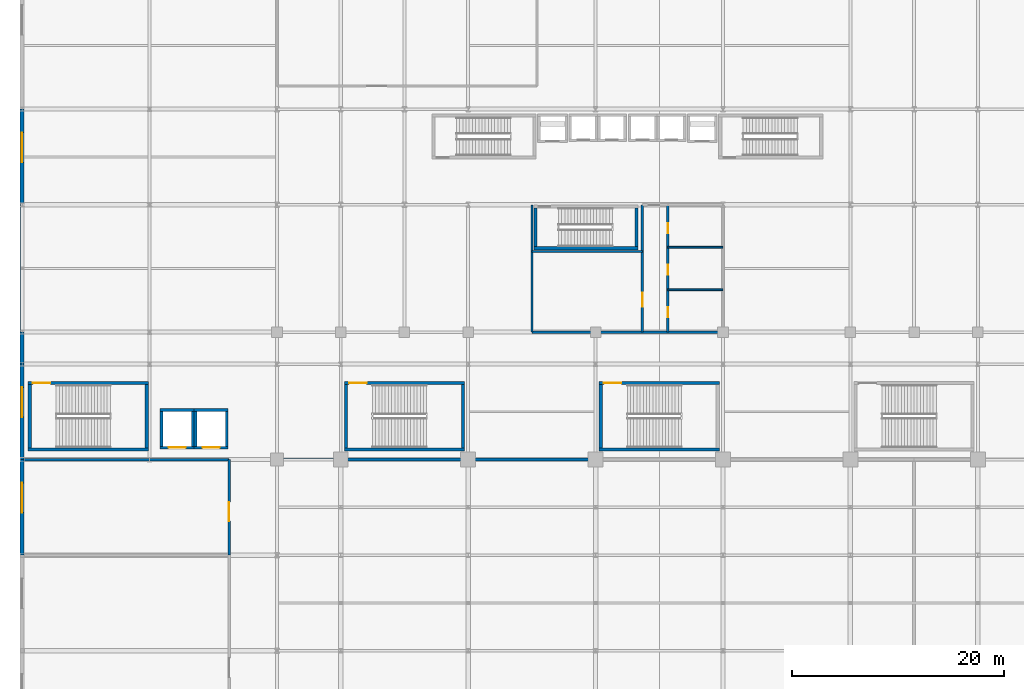
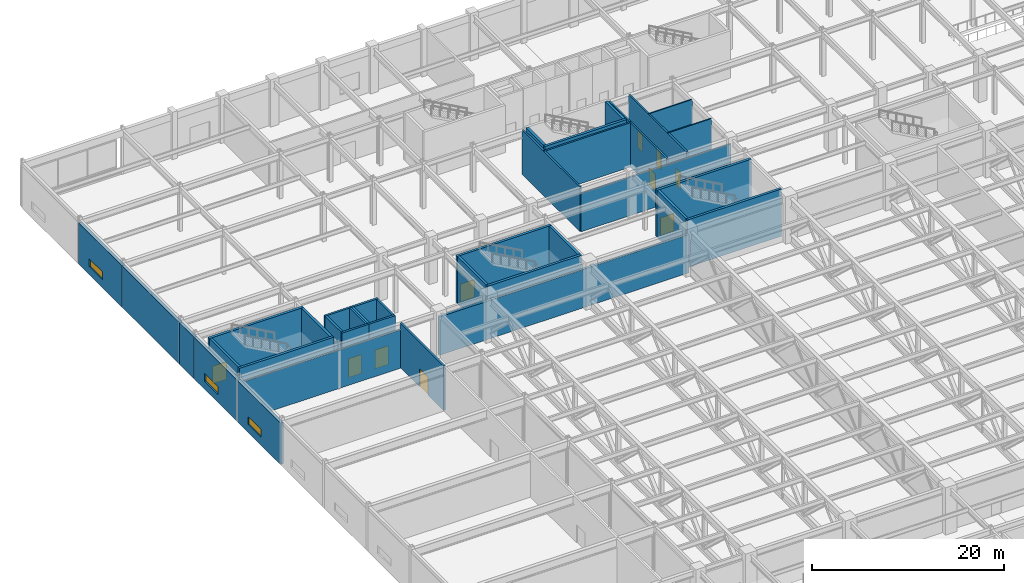
# One storey, part 92 of 108: 37 walls, 10 doors, 3 windows, 13 openings.
"""IFC4 building model written with IfcOpenShell, lengths in metres."""

from ifc_helpers import new_model, si_unit, direction, frame, frame_2d, origin, place, context, subcontext, project, spatial, rectangle, extrude, material, layer, layer_set, type_object, element, fill, save


model = new_model("IFC4")

# Units and contexts
model_context = context("Model", 3, precision=1e-05, world=origin(), true_north=direction((0.0, 1.0)))
body_context = subcontext(model_context, "Body", "Model", "MODEL_VIEW")
ifc_project = project(units=[si_unit("LENGTHUNIT", "METRE"), si_unit("AREAUNIT", "SQUARE_METRE"), si_unit("VOLUMEUNIT", "CUBIC_METRE"), si_unit("PLANEANGLEUNIT", "RADIAN"), si_unit("MASSUNIT", "GRAM", prefix="KILO")], contexts=[model_context])

# Site, building, storey
site_placement = place(None, origin())
site = spatial("IfcSite", under=ifc_project, at=site_placement, CompositionType="ELEMENT")
building_placement = place(site_placement, origin())
building = spatial("IfcBuilding", under=site, at=building_placement, Name="Kaldorvane Square Convention Centre", CompositionType="ELEMENT")
storey_placement = place(building_placement, frame((0.0, 0.0, 12.0)))
storey = spatial("IfcBuildingStorey", under=building, at=storey_placement, Name="L02", CompositionType="ELEMENT", Elevation=12.0)

# Wall, opening, door
ifc_material_1 = material(Name="Reinforced Concrete Masonry Acoustic Partition", Category="masonry")
ifc_layer_1 = layer(ifc_material_1, 0.2400054931640625)
ifc_layer_set_1 = layer_set([ifc_layer_1], Name="Reinforced Concrete Masonry Acoustic Partition")
wall_type_1 = type_object("IfcWallType", Name="WL-ACO-240", PredefinedType="PARTITIONING", material=ifc_layer_set_1)
wall_1_placement = place(storey_placement, frame((19.5, 63.0, 0.0), z_axis=(0.0, 0.0, 1.0), x_axis=(0.0, 1.0, 0.0)))
wall_1 = element("IfcWall", 1, at=wall_1_placement, inside=storey, type_object=wall_type_1, Name="Meeting Room 204 E Wall", PredefinedType="PARTITIONING", context=body_context, shape_type="SweptSolid", body=[
    extrude(rectangle(XDim=9.0, YDim=0.2400054931640625, at=frame_2d((4.5, 0.0))), origin(), (0.0, 0.0, 1.0), 5.649993896484375),
])
opening_1_placement = place(wall_1_placement, frame((3.1999969482421875, 0.0, 0.0)))
opening_1 = element("IfcOpeningElement", 2, at=opening_1_placement, cuts=wall_1, Name="Opening ID-06", PredefinedType="OPENING", context=body_context, shape_type="SweptSolid", body=[
    extrude(rectangle(XDim=1.8000030517578125, YDim=2.3000030517578125, at=frame_2d((0.899993896484375, 1.149993896484375))), frame((0.0, 0.135009765625, 0.0), z_axis=(0.0, -1.0, 0.0), x_axis=(1.0, 0.0, 0.0)), (0.0, 0.0, 1.0), 0.2700042724609375),
])
ifc_material_2 = material(Name="Architectural Solid-Core White Oak")
door_type_1 = type_object("IfcDoorType", Name="DR-MEET-1800X2300", OperationType="DOUBLE_DOOR_SINGLE_SWING", PredefinedType="DOOR", material=ifc_material_2)
door_1_placement = place(opening_1_placement, origin())
door_1 = element("IfcDoor", 3, at=door_1_placement, inside=storey, type_object=door_type_1, Name="Meeting Room 204 Door 1", OperationType="DOUBLE_DOOR_SINGLE_SWING", OverallHeight=2.3000030517578125, OverallWidth=1.8000030517578125, PredefinedType="DOOR", context=body_context, shape_type="SweptSolid", body=[
    extrude(rectangle(XDim=1.8000030517578125, YDim=2.3000030517578125, at=frame_2d((0.899993896484375, 1.149993896484375))), frame((0.0, 0.024993896484375, 0.0), z_axis=(0.0, -1.0, 0.0), x_axis=(1.0, 0.0, 0.0)), (0.0, 0.0, 1.0), 0.0500030517578125),
])
fill(opening_1, door_1)

# Walls
wall_2_placement = place(storey_placement, frame((19.5, 72.0, 0.0), z_axis=(0.0, 0.0, 1.0), x_axis=(-1.0, 0.0, 0.0)))
element("IfcWall", 4, at=wall_2_placement, inside=storey, type_object=wall_type_1, Name="Meeting Room 204 N Wall", PredefinedType="PARTITIONING", context=body_context, shape_type="SweptSolid", body=[
    extrude(rectangle(XDim=19.30999755859375, YDim=0.2400054931640625, at=frame_2d((9.654998779296875, 0.0))), origin(), (0.0, 0.0, 1.0), 4.8719940185546875),
])
ifc_layer_2 = layer(ifc_material_1, 0.279998779296875)
ifc_layer_set_2 = layer_set([ifc_layer_2], Name="Reinforced Concrete Masonry Acoustic Partition")
wall_type_2 = type_object("IfcWallType", Name="WL-ACO-280", PredefinedType="PARTITIONING", material=ifc_layer_set_2)
wall_3_placement = place(storey_placement, frame((54.0, 72.0, 0.0), z_axis=(0.0, 0.0, 1.0), x_axis=(-1.0, 0.0, 0.0)))
element("IfcWall", 5, at=wall_3_placement, inside=storey, type_object=wall_type_2, Name="West Transfer Truss Interstitial Mechanical Plenum N Wall", PredefinedType="PARTITIONING", context=body_context, shape_type="SweptSolid", body=[
    extrude(rectangle(XDim=30.0, YDim=0.279998779296875, at=frame_2d((15.0, 0.0))), origin(), (0.0, 0.0, 1.0), 4.8719940185546875),
])
ifc_material_3 = material(Name="Fire-Rated Gypsum Board on Acoustic Steel Studs", Category="steel")
ifc_layer_3 = layer(ifc_material_3, 0.1999969482421875)
ifc_layer_set_3 = layer_set([ifc_layer_3], Name="Fire-Rated Gypsum Board on Acoustic Steel Studs")
wall_type_3 = type_object("IfcWallType", Name="WL-CORR-200", PredefinedType="PARTITIONING", material=ifc_layer_set_3)
wall_4_placement = place(storey_placement, frame((48.0, 84.0, 0.0), z_axis=(0.0, 0.0, 1.0), x_axis=(1.0, 0.0, 0.0)))
element("IfcWall", 6, at=wall_4_placement, inside=storey, type_object=wall_type_3, Name="Service Block South Partition (L02)", PredefinedType="PARTITIONING", context=body_context, shape_type="SweptSolid", body=[
    extrude(rectangle(XDim=18.0, YDim=0.1999969482421875, at=frame_2d((9.0, 0.0))), origin(), (0.0, 0.0, 1.0), 4.8719940185546875),
])

# Wall, opening, door
wall_5_placement = place(storey_placement, frame((58.399993896484375, 84.0, 0.0), z_axis=(0.0, 0.0, 1.0), x_axis=(0.0, 1.0, 0.0)))
wall_5 = element("IfcWall", 7, at=wall_5_placement, inside=storey, type_object=wall_type_3, Name="Restroom Vestibule West Wall (L02)", PredefinedType="PARTITIONING", context=body_context, shape_type="SweptSolid", body=[
    extrude(rectangle(XDim=12.0, YDim=0.1999969482421875, at=frame_2d((6.0, 0.0))), origin(), (0.0, 0.0, 1.0), 5.649993896484375),
])
opening_2_placement = place(wall_5_placement, frame((2.399993896484375, 0.0, 0.0)))
opening_2 = element("IfcOpeningElement", 8, at=opening_2_placement, cuts=wall_5, Name="Opening ID-09", PredefinedType="OPENING", context=body_context, shape_type="SweptSolid", body=[
    extrude(rectangle(XDim=1.3000030517578125, YDim=2.1999969482421875, at=frame_2d((0.649993896484375, 1.100006103515625))), frame((0.0, 0.114990234375, 0.0), z_axis=(0.0, -1.0, 0.0), x_axis=(1.0, 0.0, 0.0)), (0.0, 0.0, 1.0), 0.2299957275390625),
])
ifc_material_4 = material(Name="Insulated Hollow Metal Steel", Category="steel")
door_type_2 = type_object("IfcDoorType", Name="DR-SVC-1300X2200", OperationType="DOUBLE_DOOR_SINGLE_SWING", PredefinedType="DOOR", material=ifc_material_4)
door_2_placement = place(opening_2_placement, origin())
door_2 = element("IfcDoor", 9, at=door_2_placement, inside=storey, type_object=door_type_2, Name="Janitor and Service Closet (L02) Door", OperationType="DOUBLE_DOOR_SINGLE_SWING", OverallHeight=2.1999969482421875, OverallWidth=1.3000030517578125, PredefinedType="DOOR", context=body_context, shape_type="SweptSolid", body=[
    extrude(rectangle(XDim=1.3000030517578125, YDim=2.1999969482421875, at=frame_2d((0.649993896484375, 1.100006103515625))), frame((0.0, 0.024993896484375, 0.0), z_axis=(0.0, -1.0, 0.0), x_axis=(1.0, 0.0, 0.0)), (0.0, 0.0, 1.0), 0.0500030517578125),
])
fill(opening_2, door_2)

# Wall, openings, doors
wall_6_placement = place(storey_placement, frame((60.80000305175781, 84.0, 0.0), z_axis=(0.0, 0.0, 1.0), x_axis=(0.0, 1.0, 0.0)))
wall_6 = element("IfcWall", 10, at=wall_6_placement, inside=storey, type_object=wall_type_3, Name="Restroom Vestibule East Wall (L02)", PredefinedType="PARTITIONING", context=body_context, shape_type="SweptSolid", body=[
    extrude(rectangle(XDim=12.0, YDim=0.1999969482421875, at=frame_2d((6.0, 0.0))), origin(), (0.0, 0.0, 1.0), 5.649993896484375),
])
opening_3_placement = place(wall_6_placement, frame((1.399993896484375, 0.0, 0.0)))
opening_3 = element("IfcOpeningElement", 11, at=opening_3_placement, cuts=wall_6, Name="Opening ID-13", PredefinedType="OPENING", context=body_context, shape_type="SweptSolid", body=[
    extrude(rectangle(XDim=0.9499969482421875, YDim=2.149993896484375, at=frame_2d((0.475006103515625, 1.0749969482421875))), frame((0.0, 0.114990234375, 0.0), z_axis=(0.0, -1.0, 0.0), x_axis=(1.0, 0.0, 0.0)), (0.0, 0.0, 1.0), 0.2299957275390625),
])
opening_4_placement = place(wall_6_placement, frame((5.399993896484375, 0.0, 0.0)))
opening_4 = element("IfcOpeningElement", 12, at=opening_4_placement, cuts=wall_6, Name="Opening ID-13", PredefinedType="OPENING", context=body_context, shape_type="SweptSolid", body=[
    extrude(rectangle(XDim=0.9499969482421875, YDim=2.149993896484375, at=frame_2d((0.475006103515625, 1.0749969482421875))), frame((0.0, 0.114990234375, 0.0), z_axis=(0.0, -1.0, 0.0), x_axis=(1.0, 0.0, 0.0)), (0.0, 0.0, 1.0), 0.2299957275390625),
])
opening_5_placement = place(wall_6_placement, frame((9.300003051757812, 0.0, 0.0)))
opening_5 = element("IfcOpeningElement", 13, at=opening_5_placement, cuts=wall_6, Name="Opening ID-13", PredefinedType="OPENING", context=body_context, shape_type="SweptSolid", body=[
    extrude(rectangle(XDim=0.9499969482421875, YDim=2.149993896484375, at=frame_2d((0.475006103515625, 1.0749969482421875))), frame((0.0, 0.114990234375, 0.0), z_axis=(0.0, -1.0, 0.0), x_axis=(1.0, 0.0, 0.0)), (0.0, 0.0, 1.0), 0.2299957275390625),
])
door_type_3 = type_object("IfcDoorType", Name="DR-WC-0950X2150", OperationType="SINGLE_SWING_LEFT", PredefinedType="DOOR", material=ifc_material_2)
door_3_placement = place(opening_3_placement, origin())
door_3 = element("IfcDoor", 14, at=door_3_placement, inside=storey, type_object=door_type_3, Name="Accessible Restroom Door (L02)", OperationType="SINGLE_SWING_LEFT", OverallHeight=2.149993896484375, OverallWidth=0.9499969482421875, PredefinedType="DOOR", context=body_context, shape_type="SweptSolid", body=[
    extrude(rectangle(XDim=0.9499969482421875, YDim=2.149993896484375, at=frame_2d((0.475006103515625, 1.0749969482421875))), frame((0.0, 0.024993896484375, 0.0), z_axis=(0.0, -1.0, 0.0), x_axis=(1.0, 0.0, 0.0)), (0.0, 0.0, 1.0), 0.0500030517578125),
])
fill(opening_3, door_3)
door_4_placement = place(opening_4_placement, origin())
door_4 = element("IfcDoor", 15, at=door_4_placement, inside=storey, type_object=door_type_3, Name="Men's Restroom Door (L02)", OperationType="SINGLE_SWING_LEFT", OverallHeight=2.149993896484375, OverallWidth=0.9499969482421875, PredefinedType="DOOR", context=body_context, shape_type="SweptSolid", body=[
    extrude(rectangle(XDim=0.9499969482421875, YDim=2.149993896484375, at=frame_2d((0.475006103515625, 1.0749969482421875))), frame((0.0, 0.024993896484375, 0.0), z_axis=(0.0, -1.0, 0.0), x_axis=(1.0, 0.0, 0.0)), (0.0, 0.0, 1.0), 0.0500030517578125),
])
fill(opening_4, door_4)
door_5_placement = place(opening_5_placement, origin())
door_5 = element("IfcDoor", 16, at=door_5_placement, inside=storey, type_object=door_type_3, Name="Women's Restroom Door (L02)", OperationType="SINGLE_SWING_LEFT", OverallHeight=2.149993896484375, OverallWidth=0.9499969482421875, PredefinedType="DOOR", context=body_context, shape_type="SweptSolid", body=[
    extrude(rectangle(XDim=0.9499969482421875, YDim=2.149993896484375, at=frame_2d((0.475006103515625, 1.0749969482421875))), frame((0.0, 0.024993896484375, 0.0), z_axis=(0.0, -1.0, 0.0), x_axis=(1.0, 0.0, 0.0)), (0.0, 0.0, 1.0), 0.0500030517578125),
])
fill(opening_5, door_5)

# Walls
wall_7_placement = place(storey_placement, frame((48.0, 91.60000610351562, 0.0), z_axis=(0.0, 0.0, 1.0), x_axis=(1.0, 0.0, 0.0)))
element("IfcWall", 17, at=wall_7_placement, inside=storey, type_object=wall_type_3, Name="Housekeeping North Wall (L02)", PredefinedType="PARTITIONING", context=body_context, shape_type="SweptSolid", body=[
    extrude(rectangle(XDim=10.399993896484375, YDim=0.1999969482421875, at=frame_2d((5.1999969482421875, 0.0))), origin(), (0.0, 0.0, 1.0), 5.649993896484375),
])
wall_8_placement = place(storey_placement, frame((48.0, 84.0, 0.0), z_axis=(0.0, 0.0, 1.0), x_axis=(0.0, 1.0, 0.0)))
element("IfcWall", 18, at=wall_8_placement, inside=storey, type_object=wall_type_3, Name="Service Block West Wall (L02)", PredefinedType="PARTITIONING", context=body_context, shape_type="SweptSolid", body=[
    extrude(rectangle(XDim=12.0, YDim=0.1999969482421875, at=frame_2d((6.0, 0.0))), origin(), (0.0, 0.0, 1.0), 5.649993896484375),
])

# Wall, opening, window
ifc_material_5 = material(Name="Concrete f'c = 42 MPa (Normalweight)", Category="concrete")
ifc_layer_4 = layer(ifc_material_5, 0.3800048828125)
ifc_layer_set_4 = layer_set([ifc_layer_4], Name="Concrete f'c = 42 MPa (Normalweight)")
wall_type_4 = type_object("IfcWallType", Name="WL-EXT-380", PredefinedType="STANDARD", material=ifc_layer_set_4)
wall_9_placement = place(storey_placement, frame((0.0, 72.0, 0.0), z_axis=(0.0, 0.0, 1.0), x_axis=(0.0, -1.0, 0.0)))
wall_9 = element("IfcWall", 19, at=wall_9_placement, inside=storey, type_object=wall_type_4, Name="West Brutalist Facade Wall (L02)", PredefinedType="STANDARD", context=body_context, shape_type="SweptSolid", body=[
    extrude(rectangle(XDim=9.0, YDim=0.3800048828125, at=frame_2d((4.5, 0.0))), origin(), (0.0, 0.0, 1.0), 5.2389984130859375),
])
opening_6_placement = place(wall_9_placement, frame((2.1999969482421875, 0.0, 1.0)))
opening_6 = element("IfcOpeningElement", 20, at=opening_6_placement, cuts=wall_9, Name="Opening W-26", PredefinedType="OPENING", context=body_context, shape_type="SweptSolid", body=[
    extrude(rectangle(XDim=2.8000030517578125, YDim=1.0, at=frame_2d((1.399993896484375, 0.5))), frame((0.0, 0.2050018310546875, 0.0), z_axis=(0.0, -1.0, 0.0), x_axis=(1.0, 0.0, 0.0)), (0.0, 0.0, 1.0), 0.410003662109375),
])
ifc_material_6 = material(Name="Anodized Aluminum and Low-E Insulated Glazing", Category="aluminium")
window_type = type_object("IfcWindowType", Name="WN-CLR-2800X1000", PartitioningType="DOUBLE_PANEL_HORIZONTAL", PredefinedType="WINDOW", material=ifc_material_6)
window_1_placement = place(opening_6_placement, origin())
window_1 = element("IfcWindow", 21, at=window_1_placement, inside=storey, type_object=window_type, Name="West Facade Window (L02)", OverallHeight=1.0, OverallWidth=2.8000030517578125, PartitioningType="DOUBLE_PANEL_HORIZONTAL", PredefinedType="WINDOW", context=body_context, shape_type="SweptSolid", body=[
    extrude(rectangle(XDim=2.8000030517578125, YDim=1.0, at=frame_2d((1.399993896484375, 0.5))), frame((0.0, 0.029998779296875, 0.0), z_axis=(0.0, -1.0, 0.0), x_axis=(1.0, 0.0, 0.0)), (0.0, 0.0, 1.0), 0.05999755859375),
])
fill(opening_6, window_1)

wall_10_placement = place(storey_placement, frame((0.0, 81.0, 0.0), z_axis=(0.0, 0.0, 1.0), x_axis=(0.0, -1.0, 0.0)))
wall_10 = element("IfcWall", 22, at=wall_10_placement, inside=storey, type_object=wall_type_4, Name="West Brutalist Facade Wall (L02)", PredefinedType="STANDARD", context=body_context, shape_type="SweptSolid", body=[
    extrude(rectangle(XDim=9.0, YDim=0.3800048828125, at=frame_2d((4.5, 0.0))), origin(), (0.0, 0.0, 1.0), 5.2389984130859375),
])
opening_7_placement = place(wall_10_placement, frame((2.1999969482421875, 0.0, 1.0)))
opening_7 = element("IfcOpeningElement", 23, at=opening_7_placement, cuts=wall_10, Name="Opening W-26", PredefinedType="OPENING", context=body_context, shape_type="SweptSolid", body=[
    extrude(rectangle(XDim=2.8000030517578125, YDim=1.0, at=frame_2d((1.399993896484375, 0.5))), frame((0.0, 0.2050018310546875, 0.0), z_axis=(0.0, -1.0, 0.0), x_axis=(1.0, 0.0, 0.0)), (0.0, 0.0, 1.0), 0.410003662109375),
])
window_2_placement = place(opening_7_placement, origin())
window_2 = element("IfcWindow", 24, at=window_2_placement, inside=storey, type_object=window_type, Name="West Facade Window (L02)", OverallHeight=1.0, OverallWidth=2.8000030517578125, PartitioningType="DOUBLE_PANEL_HORIZONTAL", PredefinedType="WINDOW", context=body_context, shape_type="SweptSolid", body=[
    extrude(rectangle(XDim=2.8000030517578125, YDim=1.0, at=frame_2d((1.399993896484375, 0.5))), frame((0.0, 0.029998779296875, 0.0), z_axis=(0.0, -1.0, 0.0), x_axis=(1.0, 0.0, 0.0)), (0.0, 0.0, 1.0), 0.05999755859375),
])
fill(opening_7, window_2)

# Walls
wall_11_placement = place(storey_placement, frame((0.0, 84.0, 0.0), z_axis=(0.0, 0.0, 1.0), x_axis=(0.0, -1.0, 0.0)))
element("IfcWall", 25, at=wall_11_placement, inside=storey, type_object=wall_type_4, Name="West Brutalist Facade Wall (L02)", PredefinedType="STANDARD", context=body_context, shape_type="SweptSolid", body=[
    extrude(rectangle(XDim=3.0, YDim=0.3800048828125, at=frame_2d((1.5, 0.0))), origin(), (0.0, 0.0, 1.0), 5.2389984130859375),
])
wall_12_placement = place(storey_placement, frame((0.0, 96.0, 0.0), z_axis=(0.0, 0.0, 1.0), x_axis=(0.0, -1.0, 0.0)))
element("IfcWall", 26, at=wall_12_placement, inside=storey, type_object=wall_type_4, Name="West Brutalist Facade Wall (L02)", PredefinedType="STANDARD", context=body_context, shape_type="SweptSolid", body=[
    extrude(rectangle(XDim=12.0, YDim=0.3800048828125, at=frame_2d((6.0, 0.0))), origin(), (0.0, 0.0, 1.0), 5.2389984130859375),
])

# Wall, opening, window
wall_13_placement = place(storey_placement, frame((0.0, 105.0, 0.0), z_axis=(0.0, 0.0, 1.0), x_axis=(0.0, -1.0, 0.0)))
wall_13 = element("IfcWall", 27, at=wall_13_placement, inside=storey, type_object=wall_type_4, Name="West Brutalist Facade Wall (L02)", PredefinedType="STANDARD", context=body_context, shape_type="SweptSolid", body=[
    extrude(rectangle(XDim=9.0, YDim=0.3800048828125, at=frame_2d((4.5, 0.0))), origin(), (0.0, 0.0, 1.0), 5.2389984130859375),
])
opening_8_placement = place(wall_13_placement, frame((2.1999969482421875, 0.0, 1.0)))
opening_8 = element("IfcOpeningElement", 28, at=opening_8_placement, cuts=wall_13, Name="Opening W-26", PredefinedType="OPENING", context=body_context, shape_type="SweptSolid", body=[
    extrude(rectangle(XDim=2.8000030517578125, YDim=1.0, at=frame_2d((1.399993896484375, 0.5))), frame((0.0, 0.2050018310546875, 0.0), z_axis=(0.0, -1.0, 0.0), x_axis=(1.0, 0.0, 0.0)), (0.0, 0.0, 1.0), 0.410003662109375),
])
window_3_placement = place(opening_8_placement, origin())
window_3 = element("IfcWindow", 29, at=window_3_placement, inside=storey, type_object=window_type, Name="West Facade Window (L02)", OverallHeight=1.0, OverallWidth=2.8000030517578125, PartitioningType="DOUBLE_PANEL_HORIZONTAL", PredefinedType="WINDOW", context=body_context, shape_type="SweptSolid", body=[
    extrude(rectangle(XDim=2.8000030517578125, YDim=1.0, at=frame_2d((1.399993896484375, 0.5))), frame((0.0, 0.029998779296875, 0.0), z_axis=(0.0, -1.0, 0.0), x_axis=(1.0, 0.0, 0.0)), (0.0, 0.0, 1.0), 0.05999755859375),
])
fill(opening_8, window_3)

# Walls
ifc_layer_5 = layer(ifc_material_3, 0.149993896484375)
ifc_layer_set_5 = layer_set([ifc_layer_5], Name="Fire-Rated Gypsum Board on Acoustic Steel Studs")
wall_type_5 = type_object("IfcWallType", Name="WL-PART-150", PredefinedType="PARTITIONING", material=ifc_layer_set_5)
for number, where, z_axis, x_axis, name in (
    (30, (60.80000305175781, 88.0, 0.0), (0.0, 0.0, 1.0), (1.0, 0.0, 0.0), "Restroom Partition 1 (L02)"),
    (31, (60.80000305175781, 92.0, 0.0), (0.0, 0.0, 1.0), (1.0, 0.0, 0.0), "Restroom Partition 2 (L02)"),
):
    element("IfcWall", number, at=place(storey_placement, frame(where, z_axis=z_axis, x_axis=x_axis)), inside=storey, type_object=wall_type_5, Name=name, PredefinedType="PARTITIONING", context=body_context, shape_type="SweptSolid", body=[
        extrude(rectangle(XDim=5.1999969482421875, YDim=0.149993896484375, at=frame_2d((2.600006103515625, 0.0))), origin(), (0.0, 0.0, 1.0), 5.649993896484375),
    ])
ifc_material_7 = material(Name="Concrete f'c = 55 MPa (Normalweight)", Category="concrete")
ifc_layer_6 = layer(ifc_material_7, 0.3000030517578125)
ifc_layer_set_6 = layer_set([ifc_layer_6], Name="Concrete f'c = 55 MPa (Normalweight)")
wall_type_6 = type_object("IfcWallType", Name="WL-SHAFT-300", PredefinedType="SHEAR", material=ifc_layer_set_6)
wall_14_placement = place(storey_placement, frame((48.19999694824219, 91.91000366210938, 0.0), z_axis=(0.0, 0.0, 1.0), x_axis=(1.0, 0.0, 0.0)))
element("IfcWall", 32, at=wall_14_placement, inside=storey, type_object=wall_type_6, Name="Core Enclosure Wall stair:ST-T3-S (L02)", PredefinedType="SHEAR", context=body_context, shape_type="SweptSolid", body=[
    extrude(rectangle(XDim=9.800003051757812, YDim=0.3000030517578125, at=frame_2d((4.899993896484375, 0.0))), origin(), (0.0, 0.0, 1.0), 6.0),
])
for number, where, z_axis, x_axis, name in (
    (33, (48.350006103515625, 95.69999694824219, 0.0), (0.0, 0.0, 1.0), (0.0, -1.0, 0.0), "Core Enclosure Wall stair:ST-T3-W (L02)"),
    (34, (57.850006103515625, 92.05999755859375, 0.0), (0.0, 0.0, 1.0), (0.0, 1.0, 0.0), "Core Enclosure Wall stair:ST-T3-E (L02)"),
):
    element("IfcWall", number, at=place(storey_placement, frame(where, z_axis=z_axis, x_axis=x_axis)), inside=storey, type_object=wall_type_6, Name=name, PredefinedType="SHEAR", context=body_context, shape_type="SweptSolid", body=[
        extrude(rectangle(XDim=3.6399993896484375, YDim=0.3000030517578125, at=frame_2d((1.82000732421875, 0.0))), origin(), (0.0, 0.0, 1.0), 6.0),
    ])
wall_15_placement = place(storey_placement, frame((0.55999755859375, 72.94999694824219, 0.0), z_axis=(0.0, 0.0, 1.0), x_axis=(1.0, 0.0, 0.0)))
element("IfcWall", 35, at=wall_15_placement, inside=storey, type_object=wall_type_6, Name="Core Enclosure Wall stair:ST-C12-S (L02)", PredefinedType="SHEAR", context=body_context, shape_type="SweptSolid", body=[
    extrude(rectangle(XDim=11.32000732421875, YDim=0.3000030517578125, at=frame_2d((5.660003662109375, 0.0))), origin(), (0.0, 0.0, 1.0), 6.0),
])

# Wall, opening, door
wall_16_placement = place(storey_placement, frame((11.8800048828125, 79.21000671386719, 0.0), z_axis=(0.0, 0.0, 1.0), x_axis=(-1.0, 0.0, 0.0)))
wall_16 = element("IfcWall", 36, at=wall_16_placement, inside=storey, type_object=wall_type_6, Name="Core Enclosure Wall stair:ST-C12-N (L02)", PredefinedType="SHEAR", context=body_context, shape_type="SweptSolid", body=[
    extrude(rectangle(XDim=11.32000732421875, YDim=0.3000030517578125, at=frame_2d((5.660003662109375, 0.0))), origin(), (0.0, 0.0, 1.0), 6.0),
])
opening_9_placement = place(wall_16_placement, frame((9.220001220703125, 0.0, 0.0)))
opening_9 = element("IfcOpeningElement", 37, at=opening_9_placement, cuts=wall_16, Name="Opening FD90-S2", PredefinedType="OPENING", context=body_context, shape_type="SweptSolid", body=[
    extrude(rectangle(XDim=1.649993896484375, YDim=2.25, at=frame_2d((0.8249969482421875, 1.125))), frame((0.0, 0.165008544921875, 0.0), z_axis=(0.0, -1.0, 0.0), x_axis=(1.0, 0.0, 0.0)), (0.0, 0.0, 1.0), 0.3300018310546875),
])
ifc_material_8 = material(Name="Fire-Rated Hollow Metal Steel", Category="steel")
door_type_4 = type_object("IfcDoorType", Name="DR-STAIR-1650", OperationType="DOUBLE_DOOR_SINGLE_SWING", PredefinedType="DOOR", material=ifc_material_8)
door_6_placement = place(opening_9_placement, origin())
door_6 = element("IfcDoor", 38, at=door_6_placement, inside=storey, type_object=door_type_4, Name="Convention Exit Stair C12 Fire Door (L02)", OperationType="DOUBLE_DOOR_SINGLE_SWING", OverallHeight=2.25, OverallWidth=1.649993896484375, PredefinedType="DOOR", context=body_context, shape_type="SweptSolid", body=[
    extrude(rectangle(XDim=1.649993896484375, YDim=2.25, at=frame_2d((0.8249969482421875, 1.125))), frame((0.0, 0.024993896484375, 0.0), z_axis=(0.0, -1.0, 0.0), x_axis=(1.0, 0.0, 0.0)), (0.0, 0.0, 1.0), 0.0500030517578125),
])
fill(opening_9, door_6)

# Walls
for number, where, z_axis, x_axis, name in (
    (39, (0.7100067138671875, 79.05999755859375, 0.0), (0.0, 0.0, 1.0), (0.0, -1.0, 0.0), "Core Enclosure Wall stair:ST-C12-W (L02)"),
    (40, (11.729995727539062, 73.10000610351562, 0.0), (0.0, 0.0, 1.0), (0.0, 1.0, 0.0), "Core Enclosure Wall stair:ST-C12-E (L02)"),
):
    element("IfcWall", number, at=place(storey_placement, frame(where, z_axis=z_axis, x_axis=x_axis)), inside=storey, type_object=wall_type_6, Name=name, PredefinedType="SHEAR", context=body_context, shape_type="SweptSolid", body=[
        extrude(rectangle(XDim=5.959991455078125, YDim=0.3000030517578125, at=frame_2d((2.9799957275390625, 0.0))), origin(), (0.0, 0.0, 1.0), 6.0),
    ])
wall_17_placement = place(storey_placement, frame((30.339996337890625, 72.94999694824219, 0.0), z_axis=(0.0, 0.0, 1.0), x_axis=(1.0, 0.0, 0.0)))
element("IfcWall", 41, at=wall_17_placement, inside=storey, type_object=wall_type_6, Name="Core Enclosure Wall stair:ST-C13-S (L02)", PredefinedType="SHEAR", context=body_context, shape_type="SweptSolid", body=[
    extrude(rectangle(XDim=11.32000732421875, YDim=0.3000030517578125, at=frame_2d((5.660003662109375, 0.0))), origin(), (0.0, 0.0, 1.0), 6.0),
])

# Wall, opening, door
wall_18_placement = place(storey_placement, frame((41.660003662109375, 79.21000671386719, 0.0), z_axis=(0.0, 0.0, 1.0), x_axis=(-1.0, 0.0, 0.0)))
wall_18 = element("IfcWall", 42, at=wall_18_placement, inside=storey, type_object=wall_type_6, Name="Core Enclosure Wall stair:ST-C13-N (L02)", PredefinedType="SHEAR", context=body_context, shape_type="SweptSolid", body=[
    extrude(rectangle(XDim=11.32000732421875, YDim=0.3000030517578125, at=frame_2d((5.660003662109375, 0.0))), origin(), (0.0, 0.0, 1.0), 6.0),
])
opening_10_placement = place(wall_18_placement, frame((9.220001220703125, 0.0, 0.0)))
opening_10 = element("IfcOpeningElement", 43, at=opening_10_placement, cuts=wall_18, Name="Opening FD90-S2", PredefinedType="OPENING", context=body_context, shape_type="SweptSolid", body=[
    extrude(rectangle(XDim=1.649993896484375, YDim=2.25, at=frame_2d((0.8249969482421875, 1.125))), frame((0.0, 0.165008544921875, 0.0), z_axis=(0.0, -1.0, 0.0), x_axis=(1.0, 0.0, 0.0)), (0.0, 0.0, 1.0), 0.3300018310546875),
])
door_7_placement = place(opening_10_placement, origin())
door_7 = element("IfcDoor", 44, at=door_7_placement, inside=storey, type_object=door_type_4, Name="Convention Exit Stair C13 Fire Door (L02)", OperationType="DOUBLE_DOOR_SINGLE_SWING", OverallHeight=2.25, OverallWidth=1.649993896484375, PredefinedType="DOOR", context=body_context, shape_type="SweptSolid", body=[
    extrude(rectangle(XDim=1.649993896484375, YDim=2.25, at=frame_2d((0.8249969482421875, 1.125))), frame((0.0, 0.024993896484375, 0.0), z_axis=(0.0, -1.0, 0.0), x_axis=(1.0, 0.0, 0.0)), (0.0, 0.0, 1.0), 0.0500030517578125),
])
fill(opening_10, door_7)

# Walls
for number, where, z_axis, x_axis, name in (
    (45, (30.490005493164062, 79.05999755859375, 0.0), (0.0, 0.0, 1.0), (0.0, -1.0, 0.0), "Core Enclosure Wall stair:ST-C13-W (L02)"),
    (46, (41.50999450683594, 73.10000610351562, 0.0), (0.0, 0.0, 1.0), (0.0, 1.0, 0.0), "Core Enclosure Wall stair:ST-C13-E (L02)"),
):
    element("IfcWall", number, at=place(storey_placement, frame(where, z_axis=z_axis, x_axis=x_axis)), inside=storey, type_object=wall_type_6, Name=name, PredefinedType="SHEAR", context=body_context, shape_type="SweptSolid", body=[
        extrude(rectangle(XDim=5.959991455078125, YDim=0.3000030517578125, at=frame_2d((2.9799957275390625, 0.0))), origin(), (0.0, 0.0, 1.0), 6.0),
    ])
wall_19_placement = place(storey_placement, frame((54.339996337890625, 72.94999694824219, 0.0), z_axis=(0.0, 0.0, 1.0), x_axis=(1.0, 0.0, 0.0)))
element("IfcWall", 47, at=wall_19_placement, inside=storey, type_object=wall_type_6, Name="Core Enclosure Wall stair:ST-C14-S (L02)", PredefinedType="SHEAR", context=body_context, shape_type="SweptSolid", body=[
    extrude(rectangle(XDim=11.32000732421875, YDim=0.3000030517578125, at=frame_2d((5.660003662109375, 0.0))), origin(), (0.0, 0.0, 1.0), 6.0),
])

# Wall, opening, door
wall_20_placement = place(storey_placement, frame((65.66000366210938, 79.21000671386719, 0.0), z_axis=(0.0, 0.0, 1.0), x_axis=(-1.0, 0.0, 0.0)))
wall_20 = element("IfcWall", 48, at=wall_20_placement, inside=storey, type_object=wall_type_6, Name="Core Enclosure Wall stair:ST-C14-N (L02)", PredefinedType="SHEAR", context=body_context, shape_type="SweptSolid", body=[
    extrude(rectangle(XDim=11.32000732421875, YDim=0.3000030517578125, at=frame_2d((5.660003662109375, 0.0))), origin(), (0.0, 0.0, 1.0), 6.0),
])
opening_11_placement = place(wall_20_placement, frame((9.220001220703125, 0.0, 0.0)))
opening_11 = element("IfcOpeningElement", 49, at=opening_11_placement, cuts=wall_20, Name="Opening FD90-S2", PredefinedType="OPENING", context=body_context, shape_type="SweptSolid", body=[
    extrude(rectangle(XDim=1.649993896484375, YDim=2.25, at=frame_2d((0.8249969482421875, 1.125))), frame((0.0, 0.165008544921875, 0.0), z_axis=(0.0, -1.0, 0.0), x_axis=(1.0, 0.0, 0.0)), (0.0, 0.0, 1.0), 0.3300018310546875),
])
door_8_placement = place(opening_11_placement, origin())
door_8 = element("IfcDoor", 50, at=door_8_placement, inside=storey, type_object=door_type_4, Name="Convention Exit Stair C14 Fire Door (L02)", OperationType="DOUBLE_DOOR_SINGLE_SWING", OverallHeight=2.25, OverallWidth=1.649993896484375, PredefinedType="DOOR", context=body_context, shape_type="SweptSolid", body=[
    extrude(rectangle(XDim=1.649993896484375, YDim=2.25, at=frame_2d((0.8249969482421875, 1.125))), frame((0.0, 0.024993896484375, 0.0), z_axis=(0.0, -1.0, 0.0), x_axis=(1.0, 0.0, 0.0)), (0.0, 0.0, 1.0), 0.0500030517578125),
])
fill(opening_11, door_8)

# Wall
wall_21_placement = place(storey_placement, frame((54.49000549316406, 79.05999755859375, 0.0), z_axis=(0.0, 0.0, 1.0), x_axis=(0.0, -1.0, 0.0)))
element("IfcWall", 51, at=wall_21_placement, inside=storey, type_object=wall_type_6, Name="Core Enclosure Wall stair:ST-C14-W (L02)", PredefinedType="SHEAR", context=body_context, shape_type="SweptSolid", body=[
    extrude(rectangle(XDim=5.959991455078125, YDim=0.3000030517578125, at=frame_2d((2.9799957275390625, 0.0))), origin(), (0.0, 0.0, 1.0), 6.0),
])

# Wall, opening, door
wall_22_placement = place(storey_placement, frame((13.0, 73.125, 0.0), z_axis=(0.0, 0.0, 1.0), x_axis=(1.0, 0.0, 0.0)))
wall_22 = element("IfcWall", 52, at=wall_22_placement, inside=storey, type_object=wall_type_6, Name="Core Enclosure Wall lift:EL-G1-S (L02)", PredefinedType="SHEAR", context=body_context, shape_type="SweptSolid", body=[
    extrude(rectangle(XDim=3.1999969482421875, YDim=0.25, at=frame_2d((1.600006103515625, 0.0))), origin(), (0.0, 0.0, 1.0), 6.0),
])
opening_12_placement = place(wall_22_placement, frame((0.8000030517578125, 0.0, 0.0)))
opening_12 = element("IfcOpeningElement", 53, at=opening_12_placement, cuts=wall_22, Name="Opening LD-03", PredefinedType="OPENING", context=body_context, shape_type="SweptSolid", body=[
    extrude(rectangle(XDim=1.600006103515625, YDim=2.399993896484375, at=frame_2d((0.8000030517578125, 1.1999969482421875))), frame((0.0, 0.1399993896484375, 0.0), z_axis=(0.0, -1.0, 0.0), x_axis=(1.0, 0.0, 0.0)), (0.0, 0.0, 1.0), 0.279998779296875),
])
ifc_material_9 = material(Name="Stainless Steel Elevator Door Assembly", Category="steel")
door_type_5 = type_object("IfcDoorType", Name="DR-LIFT-1600", OperationType="DOUBLE_DOOR_SLIDING", PredefinedType="DOOR", material=ifc_material_9)
door_9_placement = place(opening_12_placement, origin())
door_9 = element("IfcDoor", 54, at=door_9_placement, inside=storey, type_object=door_type_5, Name="Elevator Landing Door EL-G1 (L02)", OperationType="DOUBLE_DOOR_SLIDING", OverallHeight=2.399993896484375, OverallWidth=1.600006103515625, PredefinedType="DOOR", context=body_context, shape_type="SweptSolid", body=[
    extrude(rectangle(XDim=1.600006103515625, YDim=2.399993896484375, at=frame_2d((0.8000030517578125, 1.1999969482421875))), frame((0.0, 0.024993896484375, 0.0), z_axis=(0.0, -1.0, 0.0), x_axis=(1.0, 0.0, 0.0)), (0.0, 0.0, 1.0), 0.0500030517578125),
])
fill(opening_12, door_9)

# Walls
wall_23_placement = place(storey_placement, frame((16.199996948242188, 76.67500305175781, 0.0), z_axis=(0.0, 0.0, 1.0), x_axis=(-1.0, 0.0, 0.0)))
element("IfcWall", 55, at=wall_23_placement, inside=storey, type_object=wall_type_6, Name="Core Enclosure Wall lift:EL-G1-N (L02)", PredefinedType="SHEAR", context=body_context, shape_type="SweptSolid", body=[
    extrude(rectangle(XDim=3.1999969482421875, YDim=0.25, at=frame_2d((1.600006103515625, 0.0))), origin(), (0.0, 0.0, 1.0), 6.0),
])
for number, where, z_axis, x_axis, name in (
    (56, (13.125, 76.55000305175781, 0.0), (0.0, 0.0, 1.0), (0.0, -1.0, 0.0), "Core Enclosure Wall lift:EL-G1-W (L02)"),
    (57, (16.074996948242188, 73.25, 0.0), (0.0, 0.0, 1.0), (0.0, 1.0, 0.0), "Core Enclosure Wall lift:EL-G1-E (L02)"),
):
    element("IfcWall", number, at=place(storey_placement, frame(where, z_axis=z_axis, x_axis=x_axis)), inside=storey, type_object=wall_type_6, Name=name, PredefinedType="SHEAR", context=body_context, shape_type="SweptSolid", body=[
        extrude(rectangle(XDim=3.3000030517578125, YDim=0.25, at=frame_2d((1.649993896484375, 0.0))), origin(), (0.0, 0.0, 1.0), 6.0),
    ])

# Wall, opening, door
wall_24_placement = place(storey_placement, frame((16.199996948242188, 73.125, 0.0), z_axis=(0.0, 0.0, 1.0), x_axis=(1.0, 0.0, 0.0)))
wall_24 = element("IfcWall", 58, at=wall_24_placement, inside=storey, type_object=wall_type_6, Name="Core Enclosure Wall lift:EL-G2-S (L02)", PredefinedType="SHEAR", context=body_context, shape_type="SweptSolid", body=[
    extrude(rectangle(XDim=3.1999969482421875, YDim=0.25, at=frame_2d((1.600006103515625, 0.0))), origin(), (0.0, 0.0, 1.0), 6.0),
])
opening_13_placement = place(wall_24_placement, frame((0.8000030517578125, 0.0, 0.0)))
opening_13 = element("IfcOpeningElement", 59, at=opening_13_placement, cuts=wall_24, Name="Opening LD-03", PredefinedType="OPENING", context=body_context, shape_type="SweptSolid", body=[
    extrude(rectangle(XDim=1.600006103515625, YDim=2.399993896484375, at=frame_2d((0.8000030517578125, 1.1999969482421875))), frame((0.0, 0.1399993896484375, 0.0), z_axis=(0.0, -1.0, 0.0), x_axis=(1.0, 0.0, 0.0)), (0.0, 0.0, 1.0), 0.279998779296875),
])
door_10_placement = place(opening_13_placement, origin())
door_10 = element("IfcDoor", 60, at=door_10_placement, inside=storey, type_object=door_type_5, Name="Elevator Landing Door EL-G2 (L02)", OperationType="DOUBLE_DOOR_SLIDING", OverallHeight=2.399993896484375, OverallWidth=1.600006103515625, PredefinedType="DOOR", context=body_context, shape_type="SweptSolid", body=[
    extrude(rectangle(XDim=1.600006103515625, YDim=2.399993896484375, at=frame_2d((0.8000030517578125, 1.1999969482421875))), frame((0.0, 0.024993896484375, 0.0), z_axis=(0.0, -1.0, 0.0), x_axis=(1.0, 0.0, 0.0)), (0.0, 0.0, 1.0), 0.0500030517578125),
])
fill(opening_13, door_10)

# Walls
wall_25_placement = place(storey_placement, frame((19.399993896484375, 76.67500305175781, 0.0), z_axis=(0.0, 0.0, 1.0), x_axis=(-1.0, 0.0, 0.0)))
element("IfcWall", 61, at=wall_25_placement, inside=storey, type_object=wall_type_6, Name="Core Enclosure Wall lift:EL-G2-N (L02)", PredefinedType="SHEAR", context=body_context, shape_type="SweptSolid", body=[
    extrude(rectangle(XDim=3.1999969482421875, YDim=0.25, at=frame_2d((1.600006103515625, 0.0))), origin(), (0.0, 0.0, 1.0), 6.0),
])
for number, where, z_axis, x_axis, name in (
    (62, (16.324996948242188, 76.55000305175781, 0.0), (0.0, 0.0, 1.0), (0.0, -1.0, 0.0), "Core Enclosure Wall lift:EL-G2-W (L02)"),
    (63, (19.274993896484375, 73.25, 0.0), (0.0, 0.0, 1.0), (0.0, 1.0, 0.0), "Core Enclosure Wall lift:EL-G2-E (L02)"),
):
    element("IfcWall", number, at=place(storey_placement, frame(where, z_axis=z_axis, x_axis=x_axis)), inside=storey, type_object=wall_type_6, Name=name, PredefinedType="SHEAR", context=body_context, shape_type="SweptSolid", body=[
        extrude(rectangle(XDim=3.3000030517578125, YDim=0.25, at=frame_2d((1.649993896484375, 0.0))), origin(), (0.0, 0.0, 1.0), 6.0),
    ])

save(model, "model.ifc")
